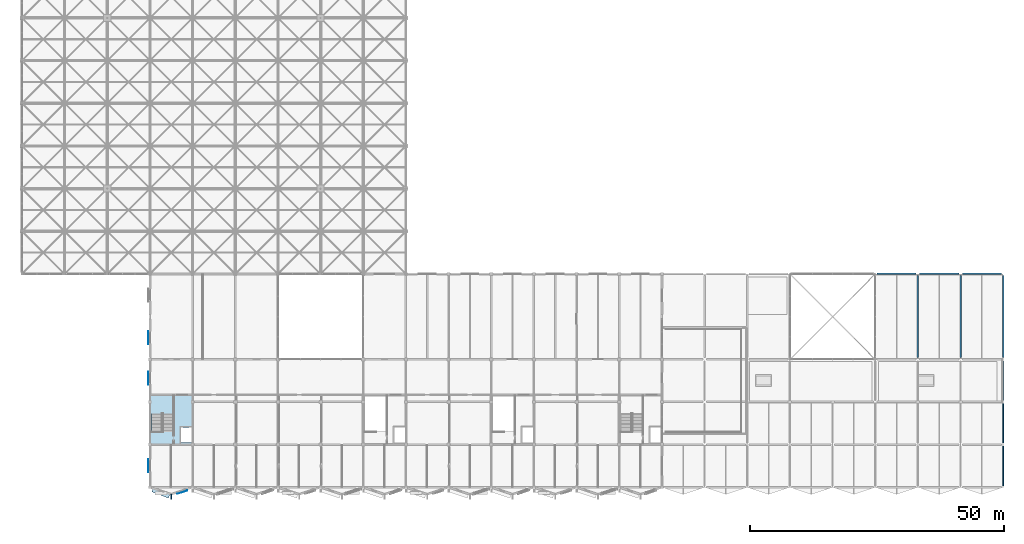
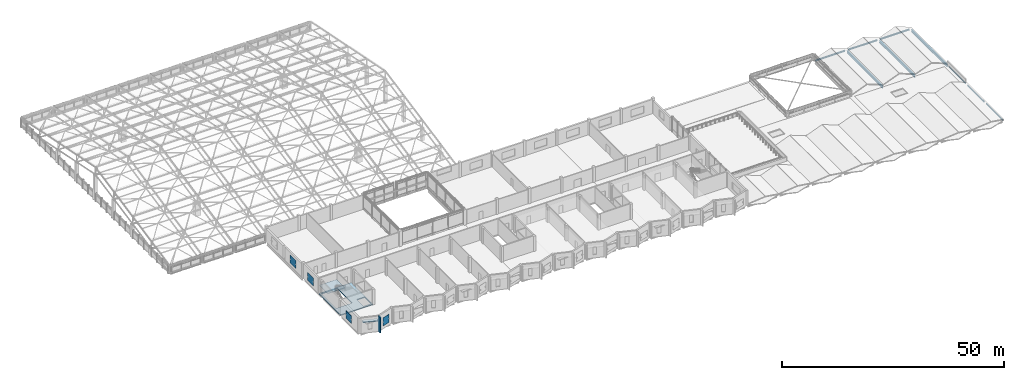
# One storey, part 66 of 81: 9 beams, 6 plates, 2 slabs, 1 element without a shape of its own.
"""IFC4 building model written with IfcOpenShell, lengths in metres."""

from ifc_helpers import new_model, si_unit, direction, frame, frame_2d, origin, origin_2d, place, context, subcontext, project, spatial, polyline, rectangle, i_section, outline, extrude, material, layer, layer_set, material_profile, profile_set, type_object, element, aggregate, save


model = new_model("IFC4")

# Units and contexts
model_context = context("Model", 3, precision=1e-05, world=origin(), true_north=direction((0.0, 1.0)))
body_context = subcontext(model_context, "Body", "Model", "MODEL_VIEW")
ifc_project = project(units=[si_unit("LENGTHUNIT", "METRE"), si_unit("AREAUNIT", "SQUARE_METRE"), si_unit("VOLUMEUNIT", "CUBIC_METRE"), si_unit("PLANEANGLEUNIT", "RADIAN"), si_unit("MASSUNIT", "GRAM", prefix="KILO")], contexts=[model_context])

# Site, building, storey
site_placement = place(None, origin())
site = spatial("IfcSite", under=ifc_project, at=site_placement, CompositionType="ELEMENT")
building_placement = place(site_placement, origin())
building = spatial("IfcBuilding", under=site, at=building_placement, Name="Qawsi Khor Wholesale Market", CompositionType="ELEMENT")
storey_placement = place(building_placement, frame((0.0, 0.0, 16.199951171875)))
storey = spatial("IfcBuildingStorey", under=building, at=storey_placement, Name="L03", CompositionType="ELEMENT", Elevation=16.199951171875)

# Beams
ifc_material_1 = material(Name="Steel S355", Category="steel")
ifc_material_profile_1 = material_profile(ifc_material_1, i_section(OverallWidth=0.300048828125, OverallDepth=0.35009765625, WebThickness=0.010009765625, FlangeThickness=0.017578125, FilletRadius=0.027099609375, at=origin_2d()), Name="HEA 360")
ifc_profile_set_1 = profile_set([ifc_material_profile_1], Name="Steel S355")
beam_type_1 = type_object("IfcBeamType", Name="Primary Girder HEA 360", PredefinedType="BEAM", material=ifc_profile_set_1)
for number, where, z_axis, x_axis, name in (
    (1, (168.35009765625, 42.0, -0.425048828125), (1.0, 0.0, 0.0), (0.0, 1.0, 0.0), "BM-X-L03-20_+05"),
    (2, (176.75, 42.0, -0.425048828125), (1.0, 0.0, 0.0), (0.0, 1.0, 0.0), "BM-X-L03-21_+05"),
):
    element("IfcBeam", number, at=place(storey_placement, frame(where, z_axis=z_axis, x_axis=x_axis)), inside=storey, type_object=beam_type_1, Name=name, PredefinedType="BEAM", context=body_context, shape_type="SweptSolid", body=[
        extrude(i_section(OverallWidth=0.300048828125, OverallDepth=0.35009765625, WebThickness=0.010009765625, FlangeThickness=0.017578125, FilletRadius=0.027099609375, at=origin_2d()), origin(), (0.0, 0.0, 1.0), 7.699951171875),
    ])
beam_1_placement = place(storey_placement, frame((185.14990234375, 42.0, -0.425048828125), z_axis=(1.0, 0.0, 0.0), x_axis=(0.0, 1.0, 0.0)))
element("IfcBeam", 3, at=beam_1_placement, inside=storey, type_object=beam_type_1, Name="BM-X-L03-22_+05", PredefinedType="BEAM", context=body_context, shape_type="SweptSolid", body=[
    extrude(i_section(OverallWidth=0.300048828125, OverallDepth=0.35009765625, WebThickness=0.010009765625, FlangeThickness=0.017578125, FilletRadius=0.027099609375, at=origin_2d()), origin(), (0.0, 0.0, 1.0), 7.7001953125),
])
ifc_material_profile_2 = material_profile(ifc_material_1, i_section(OverallWidth=0.300048828125, OverallDepth=0.68994140625, WebThickness=0.014404296875, FlangeThickness=0.027099609375, FilletRadius=0.027099609375, at=origin_2d()), Name="HEA 700")
ifc_profile_set_2 = profile_set([ifc_material_profile_2], Name="Steel S355")
beam_type_2 = type_object("IfcBeamType", Name="Primary Girder HEA 700", PredefinedType="BEAM", material=ifc_profile_set_2)
for number, where, z_axis, x_axis, name in (
    (4, (176.39990234375, 25.550048828125, -0.594970703125), (0.0, 1.0, 0.0), (-1.0, 0.0, 0.0), "BM-YL-L03-21_+03"),
    (5, (184.800048828125, 25.550048828125, -0.594970703125), (0.0, 1.0, 0.0), (-1.0, 0.0, 0.0), "BM-YL-L03-22_+03"),
    (6, (193.199951171875, 25.550048828125, -0.594970703125), (0.0, 1.0, 0.0), (-1.0, 0.0, 0.0), "BM-YL-L03-23_+03"),
):
    element("IfcBeam", number, at=place(storey_placement, frame(where, z_axis=z_axis, x_axis=x_axis)), inside=storey, type_object=beam_type_2, Name=name, PredefinedType="BEAM", context=body_context, shape_type="SweptSolid", body=[
        extrude(i_section(OverallWidth=0.300048828125, OverallDepth=0.68994140625, WebThickness=0.014404296875, FlangeThickness=0.027099609375, FilletRadius=0.027099609375, at=origin_2d()), origin(), (0.0, 0.0, 1.0), 16.099853515625),
    ])
ifc_material_profile_3 = material_profile(ifc_material_1, i_section(OverallWidth=0.159912109375, OverallDepth=0.330078125, WebThickness=0.007568359375, FlangeThickness=0.011474609375, FilletRadius=0.01806640625, at=origin_2d()), Name="IPE 330")
ifc_profile_set_3 = profile_set([ifc_material_profile_3], Name="Steel S355")
beam_type_3 = type_object("IfcBeamType", Name="Secondary Beam IPE 330", PredefinedType="BEAM", material=ifc_profile_set_3)
for number, where, z_axis, x_axis, name in (
    (7, (193.199951171875, 0.35009765625, -0.4150390625), (0.0, 1.0, 0.0), (-1.0, 0.0, 0.0), "BM-Y-L03-23_+00"),
    (8, (193.199951171875, 8.75, -0.4150390625), (0.0, 1.0, 0.0), (-1.0, 0.0, 0.0), "BM-Y-L03-23_+01"),
):
    element("IfcBeam", number, at=place(storey_placement, frame(where, z_axis=z_axis, x_axis=x_axis)), inside=storey, type_object=beam_type_3, Name=name, PredefinedType="BEAM", context=body_context, shape_type="SweptSolid", body=[
        extrude(i_section(OverallWidth=0.159912109375, OverallDepth=0.330078125, WebThickness=0.007568359375, FlangeThickness=0.011474609375, FilletRadius=0.01806640625, at=origin_2d()), origin(), (0.0, 0.0, 1.0), 7.699951171875),
    ])
beam_2_placement = place(storey_placement, frame((193.199951171875, 17.14990234375, -0.4150390625), z_axis=(0.0, 1.0, 0.0), x_axis=(-1.0, 0.0, 0.0)))
element("IfcBeam", 9, at=beam_2_placement, inside=storey, type_object=beam_type_3, Name="BM-Y-L03-23_+02", PredefinedType="BEAM", context=body_context, shape_type="SweptSolid", body=[
    extrude(i_section(OverallWidth=0.159912109375, OverallDepth=0.330078125, WebThickness=0.007568359375, FlangeThickness=0.011474609375, FilletRadius=0.01806640625, at=origin_2d()), origin(), (0.0, 0.0, 1.0), 7.7001953125),
])

# Plates
ifc_material_2 = material(Name="Perforated Bronze-Anodised Aluminium", Category="aluminium")
ifc_layer_1 = layer(ifc_material_2, 0.02001953125, Name="Perforated Bronze-Anodised Aluminium")
ifc_layer_set_1 = layer_set([ifc_layer_1], Name="Perforated Bronze-Anodised Aluminium")
plate_type_1 = type_object("IfcPlateType", Name="Perforated Bronze Mashrabiya Screen 20mm", PredefinedType="SHEET", material=ifc_layer_set_1)
plate_1_placement = place(storey_placement, frame((24.885009765625, 2.925048828125, 0.900146484375), z_axis=(0.0, 0.0, 1.0), x_axis=(0.0, 1.0, 0.0)))
element("IfcPlate", 10, at=plate_1_placement, inside=storey, type_object=plate_type_1, Name="Solar mashrabiya screen 064", PredefinedType="SHEET", context=body_context, shape_type="SweptSolid", body=[
    extrude(rectangle(XDim=2.550048828125, YDim=0.02001953125, at=frame_2d((1.27490234375, 0.0))), origin(), (0.0, 0.0, 1.0), 2.14990234375),
])
plate_2_placement = place(storey_placement, frame((24.885009765625, 20.22509765625, 0.900146484375), z_axis=(0.0, 0.0, 1.0), x_axis=(0.0, 1.0, 0.0)))
element("IfcPlate", 11, at=plate_2_placement, inside=storey, type_object=plate_type_1, Name="Solar mashrabiya screen 065", PredefinedType="SHEET", context=body_context, shape_type="SweptSolid", body=[
    extrude(rectangle(XDim=2.5498046875, YDim=0.02001953125, at=frame_2d((1.27490234375, 0.0))), origin(), (0.0, 0.0, 1.0), 2.14990234375),
])
plate_3_placement = place(storey_placement, frame((24.885009765625, 28.125, 0.900146484375), z_axis=(0.0, 0.0, 1.0), x_axis=(0.0, 1.0, 0.0)))
element("IfcPlate", 12, at=plate_3_placement, inside=storey, type_object=plate_type_1, Name="Solar mashrabiya screen 066", PredefinedType="SHEET", context=body_context, shape_type="SweptSolid", body=[
    extrude(rectangle(XDim=2.550048828125, YDim=0.02001953125, at=frame_2d((1.27490234375, 0.0))), origin(), (0.0, 0.0, 1.0), 2.14990234375),
])
ifc_layer_2 = layer(ifc_material_2, 0.028076171875, Name="Perforated Bronze-Anodised Aluminium")
ifc_layer_set_2 = layer_set([ifc_layer_2], Name="Perforated Bronze-Anodised Aluminium")
plate_type_2 = type_object("IfcPlateType", Name="Perforated Bronze Mashrabiya Screen 28mm", PredefinedType="SHEET", material=ifc_layer_set_2)
plate_4_placement = place(storey_placement, frame((32.5869140625, -0.63818359375, 0.85009765625), z_axis=(0.0, 0.0, 1.0), x_axis=(-0.948694922148, -0.316192891587, 0.0)))
element("IfcPlate", 13, at=plate_4_placement, inside=storey, type_object=plate_type_2, Name="Solar mashrabiya screen 041", PredefinedType="SHEET", context=body_context, shape_type="SweptSolid", body=[
    extrude(rectangle(XDim=2.10009765625, YDim=0.028076171875, at=frame_2d((1.050048828125, 0.0))), origin(), (0.0, 0.0, 1.0), 2.25),
])
ifc_material_3 = material(Name="Concrete C40/50", Category="concrete")
ifc_layer_3 = layer(ifc_material_3, 0.260009765625, Name="Concrete C40/50")
ifc_layer_set_3 = layer_set([ifc_layer_3], Name="Concrete C40/50")
plate_type_3 = type_object("IfcPlateType", Name="Sculpted Concrete Solar Buttress Fin 260", PredefinedType="SHEET", material=ifc_layer_set_3)
plate_5_placement = place(storey_placement, frame((29.39990234375, -2.35009765625, 0.0), z_axis=(0.0, 0.0, 1.0), x_axis=(0.0, 1.0, 0.0)))
element("IfcPlate", 14, at=plate_5_placement, inside=storey, type_object=plate_type_3, Name="Boulevard concrete solar buttress fin L03-01", PredefinedType="SHEET", context=body_context, shape_type="SweptSolid", body=[
    extrude(rectangle(XDim=1.0, YDim=0.260009765625, at=frame_2d((0.5, 0.0))), origin(), (0.0, 0.0, 1.0), 4.260009765625),
])
ifc_layer_4 = layer(ifc_material_3, 0.949951171875, Name="Concrete C40/50")
ifc_layer_set_4 = layer_set([ifc_layer_4], Name="Concrete C40/50")
plate_type_4 = type_object("IfcPlateType", Name="Sculpted Concrete Sun-Hood Canopy 950", PredefinedType="SHEET", material=ifc_layer_set_4)
plate_6_placement = place(storey_placement, frame((25.744384765625, -0.462158203125, 3.25), z_axis=(0.0, 0.0, 1.0), x_axis=(0.936840905705, -0.349755796803, 0.0)))
element("IfcPlate", 15, at=plate_6_placement, inside=storey, type_object=plate_type_4, Name="Sculpted concrete sun-hood L03-01", PredefinedType="SHEET", context=body_context, shape_type="SweptSolid", body=[
    extrude(rectangle(XDim=3.502685546875, YDim=0.949951171875, at=frame_2d((1.75146484375, 0.0))), origin(), (0.0, 0.0, 1.0), 0.18994140625),
])

# Stair, slab
stair_type = type_object("IfcStairType", Name="Exit Stair L03-RF 4500 Rise", PredefinedType="HALF_TURN_STAIR", material=ifc_material_3)
stair_placement = place(storey_placement, origin())
stair = element("IfcStair", 16, at=stair_placement, inside=storey, type_object=stair_type, Name="Stair ST-01 L03", PredefinedType="HALF_TURN_STAIR")
ifc_layer_5 = layer(ifc_material_3, 0.179931640625, Name="Concrete C40/50")
ifc_layer_set_5 = layer_set([ifc_layer_5], Name="Concrete C40/50")
slab_type_1 = type_object("IfcSlabType", Name="Stair Half-Landing Slab 180 C40/50", PredefinedType="LANDING", material=ifc_layer_set_5)
slab_1_placement = place(storey_placement, frame((0.0, 0.0, 2.070068359375)))
slab_1 = element("IfcSlab", 17, at=slab_1_placement, type_object=slab_type_1, Name="ST-01-L03 landing 1", PredefinedType="LANDING", context=body_context, shape_type="SweptSolid", body=[
    extrude(outline(polyline([(25.25, 14.39990234375), (29.780029296875, 14.39990234375), (29.780029296875, 18.14990234375), (25.25, 18.14990234375), (25.25, 14.39990234375)])), origin(), (0.0, 0.0, 1.0), 0.179931640625),
])
aggregate(stair, [slab_1])

# Slab
ifc_layer_6 = layer(ifc_material_3, 0.280029296875, Name="Concrete C40/50")
ifc_layer_set_6 = layer_set([ifc_layer_6], Name="Concrete C40/50")
slab_type_2 = type_object("IfcSlabType", Name="Suspended Floor Slab 280 C40/50", PredefinedType="FLOOR", material=ifc_layer_set_6)
slab_2_placement = place(storey_placement, frame((0.0, 0.0, -0.280029296875)))
element("IfcSlab", 18, at=slab_2_placement, inside=storey, type_object=slab_type_2, Name="Core floor slab L03 C01", PredefinedType="FLOOR", context=body_context, shape_type="SweptSolid", body=[
    extrude(outline(polyline([(25.199951171875, 18.199951171875), (33.60009765625, 18.199951171875), (33.60009765625, 8.39990234375), (25.199951171875, 8.39990234375), (25.199951171875, 18.199951171875)]), holes=[polyline([(31.320068359375, 8.800048828125), (33.39990234375, 8.800048828125), (33.39990234375, 11.800048828125), (31.320068359375, 11.800048828125), (31.320068359375, 8.800048828125)]), polyline([(25.5400390625, 11.080078125), (29.780029296875, 11.080078125), (29.780029296875, 17.860107421875), (25.5400390625, 17.860107421875), (25.5400390625, 11.080078125)])]), origin(), (0.0, 0.0, 1.0), 0.280029296875),
])

save(model, "model.ifc")
